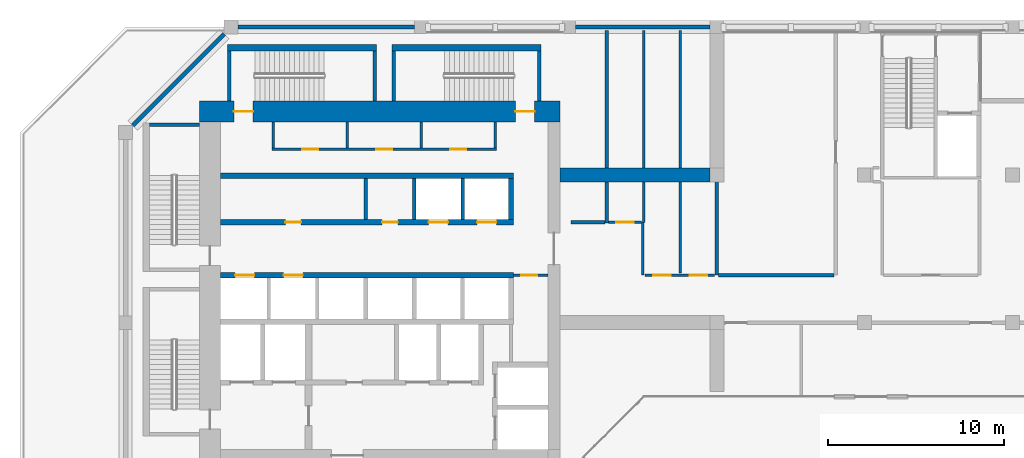
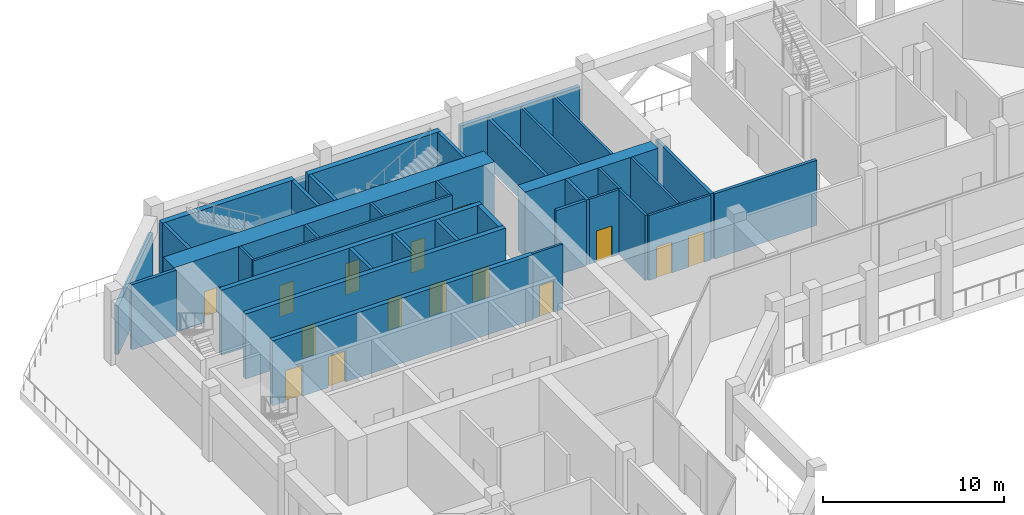
# One storey, part 8 of 16: 37 walls, 15 doors, 15 openings.
"""IFC4 building model written with IfcOpenShell, lengths in metres."""

from ifc_helpers import new_model, si_unit, direction, frame, frame_2d, origin, place, context, subcontext, project, spatial, rectangle, extrude, material, layer, layer_set, type_object, element, fill, save


model = new_model("IFC4")

# Units and contexts
model_context = context("Model", 3, precision=1e-05, world=origin(), true_north=direction((0.0, 1.0)))
body_context = subcontext(model_context, "Body", "Model", "MODEL_VIEW")
ifc_project = project(units=[si_unit("LENGTHUNIT", "METRE"), si_unit("AREAUNIT", "SQUARE_METRE"), si_unit("VOLUMEUNIT", "CUBIC_METRE"), si_unit("PLANEANGLEUNIT", "RADIAN"), si_unit("MASSUNIT", "GRAM", prefix="KILO")], contexts=[model_context])

# Site, building, storey
site_placement = place(None, origin())
site = spatial("IfcSite", under=ifc_project, at=site_placement, CompositionType="ELEMENT")
building_placement = place(site_placement, origin())
building = spatial("IfcBuilding", under=site, at=building_placement, Name="Kawkab Arch Medical Tower", CompositionType="ELEMENT")
storey_placement = place(building_placement, frame((0.0, 0.0, 272.60009765625)))
storey = spatial("IfcBuildingStorey", under=building, at=storey_placement, Name="L63", CompositionType="ELEMENT", Elevation=272.60009765625)

# Wall
ifc_material_1 = material(Name="Concrete C40/50", Category="concrete")
ifc_layer_1 = layer(ifc_material_1, 0.800048828125)
ifc_layer_set_1 = layer_set([ifc_layer_1], Name="Concrete C40/50")
wall_type_1 = type_object("IfcWallType", Name="Belt wall 800 C40/50", PredefinedType="SHEAR", material=ifc_layer_set_1)
wall_1_placement = place(storey_placement, frame((24.699951171875, -8.39990234375, 0.0), z_axis=(0.0, 0.0, 1.0), x_axis=(1.0, 0.0, 0.0)))
element("IfcWall", 1, at=wall_1_placement, inside=storey, type_object=wall_type_1, Name="Belt wall BW-L63-1", PredefinedType="SHEAR", context=body_context, shape_type="SweptSolid", body=[
    extrude(rectangle(XDim=8.5, YDim=0.800048828125, at=frame_2d((4.25, 0.0))), origin(), (0.0, 0.0, 1.0), 4.39990234375),
])

# Wall, openings, doors
ifc_material_2 = material(Name="Concrete C50/60", Category="concrete")
ifc_layer_2 = layer(ifc_material_2, 1.199951171875)
ifc_layer_set_2 = layer_set([ifc_layer_2], Name="Concrete C50/60")
wall_type_2 = type_object("IfcWallType", Name="Core ring wall 1200 C50/60", PredefinedType="SHEAR", material=ifc_layer_set_2)
wall_2_placement = place(storey_placement, frame((4.199951171875, -4.800048828125, 0.0), z_axis=(0.0, 0.0, 1.0), x_axis=(1.0, 0.0, 0.0)))
wall_2 = element("IfcWall", 2, at=wall_2_placement, inside=storey, type_object=wall_type_2, Name="L63 core wall", PredefinedType="SHEAR", context=body_context, shape_type="SweptSolid", body=[
    extrude(rectangle(XDim=20.5, YDim=1.199951171875, at=frame_2d((10.25, 0.0))), origin(), (0.0, 0.0, 1.0), 4.39990234375),
])
opening_1_placement = place(wall_2_placement, frame((1.949951171875, 0.0, 0.0)))
opening_1 = element("IfcOpeningElement", 3, at=opening_1_placement, cuts=wall_2, Name="Opening SD", PredefinedType="OPENING", context=body_context, shape_type="SweptSolid", body=[
    extrude(rectangle(XDim=1.10009765625, YDim=2.10009765625, at=frame_2d((0.550048828125, 1.050048828125))), frame((0.0, 0.60986328125, 0.0), z_axis=(0.0, -1.0, 0.0), x_axis=(1.0, 0.0, 0.0)), (0.0, 0.0, 1.0), 1.219970703125),
])
opening_2_placement = place(wall_2_placement, frame((17.949951171875, 0.0, 0.0)))
opening_2 = element("IfcOpeningElement", 4, at=opening_2_placement, cuts=wall_2, Name="Opening SD", PredefinedType="OPENING", context=body_context, shape_type="SweptSolid", body=[
    extrude(rectangle(XDim=1.10009765625, YDim=2.10009765625, at=frame_2d((0.550048828125, 1.050048828125))), frame((0.0, 0.60986328125, 0.0), z_axis=(0.0, -1.0, 0.0), x_axis=(1.0, 0.0, 0.0)), (0.0, 0.0, 1.0), 1.219970703125),
])
ifc_material_3 = material(Name="Hollow metal fire door leaf")
door_type_1 = type_object("IfcDoorType", Name="Exit stair door 1100", OperationType="SINGLE_SWING_LEFT", PredefinedType="DOOR", material=ifc_material_3)
door_1_placement = place(opening_1_placement, origin())
door_1 = element("IfcDoor", 5, at=door_1_placement, inside=storey, type_object=door_type_1, Name="L63 Exit stair ST3 door", OperationType="SINGLE_SWING_LEFT", OverallHeight=2.10009765625, OverallWidth=1.10009765625, PredefinedType="DOOR", context=body_context, shape_type="SweptSolid", body=[
    extrude(rectangle(XDim=1.10009765625, YDim=2.10009765625, at=frame_2d((0.550048828125, 1.050048828125))), frame((0.0, 0.02490234375, 0.0), z_axis=(0.0, -1.0, 0.0), x_axis=(1.0, 0.0, 0.0)), (0.0, 0.0, 1.0), 0.050048828125),
])
fill(opening_1, door_1)
door_2_placement = place(opening_2_placement, origin())
door_2 = element("IfcDoor", 6, at=door_2_placement, inside=storey, type_object=door_type_1, Name="L63 Exit stair ST4 door", OperationType="SINGLE_SWING_LEFT", OverallHeight=2.10009765625, OverallWidth=1.10009765625, PredefinedType="DOOR", context=body_context, shape_type="SweptSolid", body=[
    extrude(rectangle(XDim=1.10009765625, YDim=2.10009765625, at=frame_2d((0.550048828125, 1.050048828125))), frame((0.0, 0.02490234375, 0.0), z_axis=(0.0, -1.0, 0.0), x_axis=(1.0, 0.0, 0.0)), (0.0, 0.0, 1.0), 0.050048828125),
])
fill(opening_2, door_2)

# Wall, opening, door
ifc_material_4 = material(Name="Gypsum board on steel studs", Category="steel")
ifc_layer_3 = layer(ifc_material_4, 0.14990234375)
ifc_layer_set_3 = layer_set([ifc_layer_3], Name="Gypsum board on steel studs")
wall_type_3 = type_object("IfcWallType", Name="Core room partition 150", PredefinedType="PARTITIONING", material=ifc_layer_set_3)
wall_3_placement = place(storey_placement, frame((22.050048828125, -14.10009765625, 0.0), z_axis=(0.0, 0.0, 1.0), x_axis=(1.0, 0.0, 0.0)))
wall_3 = element("IfcWall", 7, at=wall_3_placement, inside=storey, type_object=wall_type_3, Name="L63 core room partition", PredefinedType="PARTITIONING", context=body_context, shape_type="SweptSolid", body=[
    extrude(rectangle(XDim=1.949951171875, YDim=0.14990234375, at=frame_2d((0.97509765625, 0.0))), origin(), (0.0, 0.0, 1.0), 4.39990234375),
])
opening_3_placement = place(wall_3_placement, frame((0.449951171875, 0.0, 0.0)))
opening_3 = element("IfcOpeningElement", 8, at=opening_3_placement, cuts=wall_3, Name="Opening RD", PredefinedType="OPENING", context=body_context, shape_type="SweptSolid", body=[
    extrude(rectangle(XDim=0.89990234375, YDim=2.10009765625, at=frame_2d((0.449951171875, 1.050048828125))), frame((0.0, 0.0849609375, 0.0), z_axis=(0.0, -1.0, 0.0), x_axis=(1.0, 0.0, 0.0)), (0.0, 0.0, 1.0), 0.169921875),
])
ifc_material_5 = material(Name="Hollow metal fire door leaf")
door_type_2 = type_object("IfcDoorType", Name="Core room door 900", OperationType="SINGLE_SWING_LEFT", PredefinedType="DOOR", material=ifc_material_5)
door_3_placement = place(opening_3_placement, origin())
door_3 = element("IfcDoor", 9, at=door_3_placement, inside=storey, type_object=door_type_2, Name="L63 Clean utility room door", OperationType="SINGLE_SWING_LEFT", OverallHeight=2.10009765625, OverallWidth=0.89990234375, PredefinedType="DOOR", context=body_context, shape_type="SweptSolid", body=[
    extrude(rectangle(XDim=0.89990234375, YDim=2.10009765625, at=frame_2d((0.449951171875, 1.050048828125))), frame((0.0, 0.02490234375, 0.0), z_axis=(0.0, -1.0, 0.0), x_axis=(1.0, 0.0, 0.0)), (0.0, 0.0, 1.0), 0.050048828125),
])
fill(opening_3, door_3)

# Wall, openings, doors
wall_4_placement = place(storey_placement, frame((8.324951171875, -6.949951171875, 0.0), z_axis=(0.0, 0.0, 1.0), x_axis=(1.0, 0.0, 0.0)))
wall_4 = element("IfcWall", 10, at=wall_4_placement, inside=storey, type_object=wall_type_3, Name="L63 core room partition", PredefinedType="PARTITIONING", context=body_context, shape_type="SweptSolid", body=[
    extrude(rectangle(XDim=12.75, YDim=0.14990234375, at=frame_2d((6.375, 0.0))), origin(), (0.0, 0.0, 1.0), 4.39990234375),
])
opening_4_placement = place(wall_4_placement, frame((1.72509765625, 0.0, 0.0)))
opening_4 = element("IfcOpeningElement", 11, at=opening_4_placement, cuts=wall_4, Name="Opening RD", PredefinedType="OPENING", context=body_context, shape_type="SweptSolid", body=[
    extrude(rectangle(XDim=0.89990234375, YDim=2.10009765625, at=frame_2d((0.449951171875, 1.050048828125))), frame((0.0, 0.0849609375, 0.0), z_axis=(0.0, -1.0, 0.0), x_axis=(1.0, 0.0, 0.0)), (0.0, 0.0, 1.0), 0.169921875),
])
opening_5_placement = place(wall_4_placement, frame((5.925048828125, 0.0, 0.0)))
opening_5 = element("IfcOpeningElement", 12, at=opening_5_placement, cuts=wall_4, Name="Opening RD", PredefinedType="OPENING", context=body_context, shape_type="SweptSolid", body=[
    extrude(rectangle(XDim=0.89990234375, YDim=2.10009765625, at=frame_2d((0.449951171875, 1.050048828125))), frame((0.0, 0.0849609375, 0.0), z_axis=(0.0, -1.0, 0.0), x_axis=(1.0, 0.0, 0.0)), (0.0, 0.0, 1.0), 0.169921875),
])
opening_6_placement = place(wall_4_placement, frame((10.125, 0.0, 0.0)))
opening_6 = element("IfcOpeningElement", 13, at=opening_6_placement, cuts=wall_4, Name="Opening RD", PredefinedType="OPENING", context=body_context, shape_type="SweptSolid", body=[
    extrude(rectangle(XDim=0.89990234375, YDim=2.10009765625, at=frame_2d((0.449951171875, 1.050048828125))), frame((0.0, 0.0849609375, 0.0), z_axis=(0.0, -1.0, 0.0), x_axis=(1.0, 0.0, 0.0)), (0.0, 0.0, 1.0), 0.169921875),
])
door_4_placement = place(opening_4_placement, origin())
door_4 = element("IfcDoor", 14, at=door_4_placement, inside=storey, type_object=door_type_2, Name="L63 Electrical riser room door", OperationType="SINGLE_SWING_LEFT", OverallHeight=2.10009765625, OverallWidth=0.89990234375, PredefinedType="DOOR", context=body_context, shape_type="SweptSolid", body=[
    extrude(rectangle(XDim=0.89990234375, YDim=2.10009765625, at=frame_2d((0.449951171875, 1.050048828125))), frame((0.0, 0.02490234375, 0.0), z_axis=(0.0, -1.0, 0.0), x_axis=(1.0, 0.0, 0.0)), (0.0, 0.0, 1.0), 0.050048828125),
])
fill(opening_4, door_4)
door_5_placement = place(opening_5_placement, origin())
door_5 = element("IfcDoor", 15, at=door_5_placement, inside=storey, type_object=door_type_2, Name="L63 Equipment store door", OperationType="SINGLE_SWING_LEFT", OverallHeight=2.10009765625, OverallWidth=0.89990234375, PredefinedType="DOOR", context=body_context, shape_type="SweptSolid", body=[
    extrude(rectangle(XDim=0.89990234375, YDim=2.10009765625, at=frame_2d((0.449951171875, 1.050048828125))), frame((0.0, 0.02490234375, 0.0), z_axis=(0.0, -1.0, 0.0), x_axis=(1.0, 0.0, 0.0)), (0.0, 0.0, 1.0), 0.050048828125),
])
fill(opening_5, door_5)
door_6_placement = place(opening_6_placement, origin())
door_6 = element("IfcDoor", 16, at=door_6_placement, inside=storey, type_object=door_type_2, Name="L63 Sprinkler valve room door", OperationType="SINGLE_SWING_LEFT", OverallHeight=2.10009765625, OverallWidth=0.89990234375, PredefinedType="DOOR", context=body_context, shape_type="SweptSolid", body=[
    extrude(rectangle(XDim=0.89990234375, YDim=2.10009765625, at=frame_2d((0.449951171875, 1.050048828125))), frame((0.0, 0.02490234375, 0.0), z_axis=(0.0, -1.0, 0.0), x_axis=(1.0, 0.0, 0.0)), (0.0, 0.0, 1.0), 0.050048828125),
])
fill(opening_6, door_6)

# Walls
for number, where, z_axis, x_axis, name in (
    (17, (8.39990234375, -6.875, 0.0), (0.0, 0.0, 1.0), (0.0, 1.0, 0.0), "L63 core room partition"),
    (18, (12.60009765625, -6.875, 0.0), (0.0, 0.0, 1.0), (0.0, 1.0, 0.0), "L63 core room partition"),
    (19, (16.800048828125, -6.875, 0.0), (0.0, 0.0, 1.0), (0.0, 1.0, 0.0), "L63 core room partition"),
    (20, (21.0, -6.875, 0.0), (0.0, 0.0, 1.0), (0.0, 1.0, 0.0), "L63 core room partition"),
):
    element("IfcWall", number, at=place(storey_placement, frame(where, z_axis=z_axis, x_axis=x_axis)), inside=storey, type_object=wall_type_3, Name=name, PredefinedType="PARTITIONING", context=body_context, shape_type="SweptSolid", body=[
        extrude(rectangle(XDim=1.47509765625, YDim=0.14990234375, at=frame_2d((0.737548828125, 0.0))), origin(), (0.0, 0.0, 1.0), 4.39990234375),
    ])
ifc_material_6 = material(Name="Concrete C60/75", Category="concrete")
ifc_layer_4 = layer(ifc_material_6, 0.300048828125)
ifc_layer_set_4 = layer_set([ifc_layer_4], Name="Concrete C60/75")
wall_type_4 = type_object("IfcWallType", Name="Core shear wall 300 C60/75", PredefinedType="SHEAR", material=ifc_layer_set_4)
wall_5_placement = place(storey_placement, frame((5.39990234375, -8.449951171875, 0.0), z_axis=(0.0, 0.0, 1.0), x_axis=(1.0, 0.0, 0.0)))
element("IfcWall", 21, at=wall_5_placement, inside=storey, type_object=wall_type_4, Name="L63 core shear wall", PredefinedType="SHEAR", context=body_context, shape_type="SweptSolid", body=[
    extrude(rectangle(XDim=16.650146484375, YDim=0.300048828125, at=frame_2d((8.3251953125, 0.0))), origin(), (0.0, 0.0, 1.0), 4.39990234375),
])

# Wall, openings, doors
wall_6_placement = place(storey_placement, frame((5.39990234375, -11.10009765625, 0.0), z_axis=(0.0, 0.0, 1.0), x_axis=(1.0, 0.0, 0.0)))
wall_6 = element("IfcWall", 22, at=wall_6_placement, inside=storey, type_object=wall_type_4, Name="L63 core shear wall", PredefinedType="SHEAR", context=body_context, shape_type="SweptSolid", body=[
    extrude(rectangle(XDim=16.650146484375, YDim=0.300048828125, at=frame_2d((8.3251953125, 0.0))), origin(), (0.0, 0.0, 1.0), 4.39990234375),
])
opening_7_placement = place(wall_6_placement, frame((11.824951171875, 0.0, 0.0)))
opening_7 = element("IfcOpeningElement", 23, at=opening_7_placement, cuts=wall_6, Name="Opening LD1", PredefinedType="OPENING", context=body_context, shape_type="SweptSolid", body=[
    extrude(rectangle(XDim=1.10009765625, YDim=2.10009765625, at=frame_2d((0.550048828125, 1.050048828125))), frame((0.0, 0.159912109375, 0.0), z_axis=(0.0, -1.0, 0.0), x_axis=(1.0, 0.0, 0.0)), (0.0, 0.0, 1.0), 0.320068359375),
])
opening_8_placement = place(wall_6_placement, frame((14.574951171875, 0.0, 0.0)))
opening_8 = element("IfcOpeningElement", 24, at=opening_8_placement, cuts=wall_6, Name="Opening LD1", PredefinedType="OPENING", context=body_context, shape_type="SweptSolid", body=[
    extrude(rectangle(XDim=1.10009765625, YDim=2.10009765625, at=frame_2d((0.550048828125, 1.050048828125))), frame((0.0, 0.159912109375, 0.0), z_axis=(0.0, -1.0, 0.0), x_axis=(1.0, 0.0, 0.0)), (0.0, 0.0, 1.0), 0.320068359375),
])
opening_9_placement = place(wall_6_placement, frame((3.675048828125, 0.0, 0.0)))
opening_9 = element("IfcOpeningElement", 25, at=opening_9_placement, cuts=wall_6, Name="Opening RD", PredefinedType="OPENING", context=body_context, shape_type="SweptSolid", body=[
    extrude(rectangle(XDim=0.89990234375, YDim=2.10009765625, at=frame_2d((0.449951171875, 1.050048828125))), frame((0.0, 0.159912109375, 0.0), z_axis=(0.0, -1.0, 0.0), x_axis=(1.0, 0.0, 0.0)), (0.0, 0.0, 1.0), 0.320068359375),
])
opening_10_placement = place(wall_6_placement, frame((9.175048828125, 0.0, 0.0)))
opening_10 = element("IfcOpeningElement", 26, at=opening_10_placement, cuts=wall_6, Name="Opening RD", PredefinedType="OPENING", context=body_context, shape_type="SweptSolid", body=[
    extrude(rectangle(XDim=0.89990234375, YDim=2.10009765625, at=frame_2d((0.449951171875, 1.050048828125))), frame((0.0, 0.159912109375, 0.0), z_axis=(0.0, -1.0, 0.0), x_axis=(1.0, 0.0, 0.0)), (0.0, 0.0, 1.0), 0.320068359375),
])
door_7_placement = place(opening_9_placement, origin())
door_7 = element("IfcDoor", 27, at=door_7_placement, inside=storey, type_object=door_type_2, Name="L63 Clean utility room door", OperationType="SINGLE_SWING_LEFT", OverallHeight=2.10009765625, OverallWidth=0.89990234375, PredefinedType="DOOR", context=body_context, shape_type="SweptSolid", body=[
    extrude(rectangle(XDim=0.89990234375, YDim=2.10009765625, at=frame_2d((0.449951171875, 1.050048828125))), frame((0.0, 0.02490234375, 0.0), z_axis=(0.0, -1.0, 0.0), x_axis=(1.0, 0.0, 0.0)), (0.0, 0.0, 1.0), 0.050048828125),
])
fill(opening_9, door_7)
door_8_placement = place(opening_10_placement, origin())
door_8 = element("IfcDoor", 28, at=door_8_placement, inside=storey, type_object=door_type_2, Name="L63 General store door", OperationType="SINGLE_SWING_LEFT", OverallHeight=2.10009765625, OverallWidth=0.89990234375, PredefinedType="DOOR", context=body_context, shape_type="SweptSolid", body=[
    extrude(rectangle(XDim=0.89990234375, YDim=2.10009765625, at=frame_2d((0.449951171875, 1.050048828125))), frame((0.0, 0.02490234375, 0.0), z_axis=(0.0, -1.0, 0.0), x_axis=(1.0, 0.0, 0.0)), (0.0, 0.0, 1.0), 0.050048828125),
])
fill(opening_10, door_8)
ifc_material_7 = material(Name="Stainless steel lift door leaf", Category="steel")
door_type_3 = type_object("IfcDoorType", Name="Lift landing door 1100", OperationType="DOUBLE_DOOR_SLIDING", PredefinedType="DOOR", material=ifc_material_7)
door_9_placement = place(opening_7_placement, origin())
door_9 = element("IfcDoor", 29, at=door_9_placement, inside=storey, type_object=door_type_3, Name="L63 Lift landing door MP1", OperationType="DOUBLE_DOOR_SLIDING", OverallHeight=2.10009765625, OverallWidth=1.10009765625, PredefinedType="DOOR", context=body_context, shape_type="SweptSolid", body=[
    extrude(rectangle(XDim=1.10009765625, YDim=2.10009765625, at=frame_2d((0.550048828125, 1.050048828125))), frame((0.0, 0.02490234375, 0.0), z_axis=(0.0, -1.0, 0.0), x_axis=(1.0, 0.0, 0.0)), (0.0, 0.0, 1.0), 0.050048828125),
])
fill(opening_7, door_9)
door_10_placement = place(opening_8_placement, origin())
door_10 = element("IfcDoor", 30, at=door_10_placement, inside=storey, type_object=door_type_3, Name="L63 Lift landing door MP2", OperationType="DOUBLE_DOOR_SLIDING", OverallHeight=2.10009765625, OverallWidth=1.10009765625, PredefinedType="DOOR", context=body_context, shape_type="SweptSolid", body=[
    extrude(rectangle(XDim=1.10009765625, YDim=2.10009765625, at=frame_2d((0.550048828125, 1.050048828125))), frame((0.0, 0.02490234375, 0.0), z_axis=(0.0, -1.0, 0.0), x_axis=(1.0, 0.0, 0.0)), (0.0, 0.0, 1.0), 0.050048828125),
])
fill(opening_8, door_10)

wall_7_placement = place(storey_placement, frame((5.39990234375, -14.10009765625, 0.0), z_axis=(0.0, 0.0, 1.0), x_axis=(1.0, 0.0, 0.0)))
wall_7 = element("IfcWall", 31, at=wall_7_placement, inside=storey, type_object=wall_type_4, Name="L63 core shear wall", PredefinedType="SHEAR", context=body_context, shape_type="SweptSolid", body=[
    extrude(rectangle(XDim=16.650146484375, YDim=0.300048828125, at=frame_2d((8.3251953125, 0.0))), origin(), (0.0, 0.0, 1.0), 4.39990234375),
])
opening_11_placement = place(wall_7_placement, frame((0.824951171875, 0.0, 0.0)))
opening_11 = element("IfcOpeningElement", 32, at=opening_11_placement, cuts=wall_7, Name="Opening LD1", PredefinedType="OPENING", context=body_context, shape_type="SweptSolid", body=[
    extrude(rectangle(XDim=1.10009765625, YDim=2.10009765625, at=frame_2d((0.550048828125, 1.050048828125))), frame((0.0, 0.159912109375, 0.0), z_axis=(0.0, -1.0, 0.0), x_axis=(1.0, 0.0, 0.0)), (0.0, 0.0, 1.0), 0.320068359375),
])
opening_12_placement = place(wall_7_placement, frame((3.574951171875, 0.0, 0.0)))
opening_12 = element("IfcOpeningElement", 33, at=opening_12_placement, cuts=wall_7, Name="Opening LD1", PredefinedType="OPENING", context=body_context, shape_type="SweptSolid", body=[
    extrude(rectangle(XDim=1.10009765625, YDim=2.10009765625, at=frame_2d((0.550048828125, 1.050048828125))), frame((0.0, 0.159912109375, 0.0), z_axis=(0.0, -1.0, 0.0), x_axis=(1.0, 0.0, 0.0)), (0.0, 0.0, 1.0), 0.320068359375),
])
door_11_placement = place(opening_11_placement, origin())
door_11 = element("IfcDoor", 34, at=door_11_placement, inside=storey, type_object=door_type_3, Name="L63 Lift landing door MP3", OperationType="DOUBLE_DOOR_SLIDING", OverallHeight=2.10009765625, OverallWidth=1.10009765625, PredefinedType="DOOR", context=body_context, shape_type="SweptSolid", body=[
    extrude(rectangle(XDim=1.10009765625, YDim=2.10009765625, at=frame_2d((0.550048828125, 1.050048828125))), frame((0.0, 0.02490234375, 0.0), z_axis=(0.0, -1.0, 0.0), x_axis=(1.0, 0.0, 0.0)), (0.0, 0.0, 1.0), 0.050048828125),
])
fill(opening_11, door_11)
door_12_placement = place(opening_12_placement, origin())
door_12 = element("IfcDoor", 35, at=door_12_placement, inside=storey, type_object=door_type_3, Name="L63 Lift landing door MP4", OperationType="DOUBLE_DOOR_SLIDING", OverallHeight=2.10009765625, OverallWidth=1.10009765625, PredefinedType="DOOR", context=body_context, shape_type="SweptSolid", body=[
    extrude(rectangle(XDim=1.10009765625, YDim=2.10009765625, at=frame_2d((0.550048828125, 1.050048828125))), frame((0.0, 0.02490234375, 0.0), z_axis=(0.0, -1.0, 0.0), x_axis=(1.0, 0.0, 0.0)), (0.0, 0.0, 1.0), 0.050048828125),
])
fill(opening_12, door_12)

# Walls
wall_8_placement = place(storey_placement, frame((21.89990234375, -10.949951171875, 0.0), z_axis=(0.0, 0.0, 1.0), x_axis=(0.0, 1.0, 0.0)))
element("IfcWall", 36, at=wall_8_placement, inside=storey, type_object=wall_type_4, Name="L63 core shear wall", PredefinedType="SHEAR", context=body_context, shape_type="SweptSolid", body=[
    extrude(rectangle(XDim=2.349853515625, YDim=0.300048828125, at=frame_2d((1.1748046875, 0.0))), origin(), (0.0, 0.0, 1.0), 4.39990234375),
])
ifc_material_8 = material(Name="Bronze clad insulated wall panel")
ifc_layer_5 = layer(ifc_material_8, 0.25)
ifc_layer_set_5 = layer_set([ifc_layer_5], Name="Bronze clad insulated wall panel")
wall_type_5 = type_object("IfcWallType", Name="External wall bay 250", PredefinedType="SOLIDWALL", material=ifc_layer_set_5)
wall_9_placement = place(storey_placement, frame((5.60009765625, -0.39990234375, 0.0), z_axis=(0.0, 0.0, 1.0), x_axis=(-0.707106781187, -0.707106781187, 0.0)))
element("IfcWall", 37, at=wall_9_placement, inside=storey, type_object=wall_type_5, Name="Plant wall L63.R01.1", PredefinedType="SOLIDWALL", context=body_context, shape_type="SweptSolid", body=[
    extrude(rectangle(XDim=7.354248046875, YDim=0.25, at=frame_2d((3.67724609375, 0.0))), origin(), (0.0, 0.0, 1.0), 3.2998046875),
])
wall_10_placement = place(storey_placement, frame((33.22509765625, 0.0, 0.0), z_axis=(0.0, 0.0, 1.0), x_axis=(-1.0, 0.0, 0.0)))
element("IfcWall", 38, at=wall_10_placement, inside=storey, type_object=wall_type_5, Name="Plant wall L63.R20.3", PredefinedType="SOLIDWALL", context=body_context, shape_type="SweptSolid", body=[
    extrude(rectangle(XDim=7.650146484375, YDim=0.25, at=frame_2d((3.8251953125, 0.0))), origin(), (0.0, 0.0, 1.0), 3.2998046875),
])
wall_11_placement = place(storey_placement, frame((16.425048828125, 0.0, 0.0), z_axis=(0.0, 0.0, 1.0), x_axis=(-1.0, 0.0, 0.0)))
element("IfcWall", 39, at=wall_11_placement, inside=storey, type_object=wall_type_5, Name="Plant wall L63.R20.5", PredefinedType="SOLIDWALL", context=body_context, shape_type="SweptSolid", body=[
    extrude(rectangle(XDim=10.025146484375, YDim=0.25, at=frame_2d((5.0126953125, 0.0))), origin(), (0.0, 0.0, 1.0), 3.2998046875),
])
ifc_material_9 = material(Name="Dense concrete blockwork", Category="masonry")
ifc_layer_6 = layer(ifc_material_9, 0.199951171875)
ifc_layer_set_6 = layer_set([ifc_layer_6], Name="Dense concrete blockwork")
wall_type_6 = type_object("IfcWallType", Name="Lift shaft partition 200", PredefinedType="PARTITIONING", material=ifc_layer_set_6)
for number, where, z_axis, x_axis, name in (
    (40, (13.64990234375, -10.949951171875, 0.0), (0.0, 0.0, 1.0), (0.0, 1.0, 0.0), "L63 lift shaft partition"),
    (41, (16.39990234375, -10.949951171875, 0.0), (0.0, 0.0, 1.0), (0.0, 1.0, 0.0), "L63 lift shaft partition"),
    (42, (19.14990234375, -10.949951171875, 0.0), (0.0, 0.0, 1.0), (0.0, 1.0, 0.0), "L63 lift shaft partition"),
):
    element("IfcWall", number, at=place(storey_placement, frame(where, z_axis=z_axis, x_axis=x_axis)), inside=storey, type_object=wall_type_6, Name=name, PredefinedType="PARTITIONING", context=body_context, shape_type="SweptSolid", body=[
        extrude(rectangle(XDim=2.349853515625, YDim=0.199951171875, at=frame_2d((1.1748046875, 0.0))), origin(), (0.0, 0.0, 1.0), 4.39990234375),
    ])

# Wall, openings, doors
ifc_material_10 = material(Name="Gypsum board partition on steel studs, mineral wool", Category="steel")
ifc_layer_7 = layer(ifc_material_10, 0.14990234375)
ifc_layer_set_7 = layer_set([ifc_layer_7], Name="Gypsum board partition on steel studs, mineral wool")
wall_type_7 = type_object("IfcWallType", Name="Partition 150", PredefinedType="PARTITIONING", material=ifc_layer_set_7)
wall_12_placement = place(storey_placement, frame((29.514892578125, -14.10009765625, 0.0), z_axis=(0.0, 0.0, 1.0), x_axis=(1.0, 0.0, 0.0)))
wall_12 = element("IfcWall", 43, at=wall_12_placement, inside=storey, type_object=wall_type_7, Name="Partition 150 w002", PredefinedType="PARTITIONING", context=body_context, shape_type="SweptSolid", body=[
    extrude(rectangle(XDim=3.965087890625, YDim=0.14990234375, at=frame_2d((1.982421875, 0.0))), origin(), (0.0, 0.0, 1.0), 4.39990234375),
])
opening_13_placement = place(wall_12_placement, frame((0.465087890625, 0.0, 0.0)))
opening_13 = element("IfcOpeningElement", 44, at=opening_13_placement, cuts=wall_12, Name="Opening PL3-002", PredefinedType="OPENING", context=body_context, shape_type="SweptSolid", body=[
    extrude(rectangle(XDim=1.0, YDim=2.10009765625, at=frame_2d((0.5, 1.050048828125))), frame((0.0, 0.0849609375, 0.0), z_axis=(0.0, -1.0, 0.0), x_axis=(1.0, 0.0, 0.0)), (0.0, 0.0, 1.0), 0.169921875),
])
opening_14_placement = place(wall_12_placement, frame((2.534912109375, 0.0, 0.0)))
opening_14 = element("IfcOpeningElement", 45, at=opening_14_placement, cuts=wall_12, Name="Opening PL3-004", PredefinedType="OPENING", context=body_context, shape_type="SweptSolid", body=[
    extrude(rectangle(XDim=1.0, YDim=2.10009765625, at=frame_2d((0.5, 1.050048828125))), frame((0.0, 0.0849609375, 0.0), z_axis=(0.0, -1.0, 0.0), x_axis=(1.0, 0.0, 0.0)), (0.0, 0.0, 1.0), 0.169921875),
])
ifc_material_11 = material(Name="Hollow metal door leaf")
door_type_4 = type_object("IfcDoorType", Name="Single door 1000x2100 FD30S", OperationType="NOTDEFINED", PredefinedType="DOOR", material=ifc_material_11)
door_13_placement = place(opening_13_placement, origin())
door_13 = element("IfcDoor", 46, at=door_13_placement, inside=storey, type_object=door_type_4, Name="Door PL3-002", OperationType="SINGLE_SWING_LEFT", OverallHeight=2.10009765625, OverallWidth=1.0, PredefinedType="DOOR", context=body_context, shape_type="SweptSolid", body=[
    extrude(rectangle(XDim=1.0, YDim=2.10009765625, at=frame_2d((0.5, 1.050048828125))), frame((0.0, 0.02490234375, 0.0), z_axis=(0.0, -1.0, 0.0), x_axis=(1.0, 0.0, 0.0)), (0.0, 0.0, 1.0), 0.050048828125),
])
fill(opening_13, door_13)
door_14_placement = place(opening_14_placement, origin())
door_14 = element("IfcDoor", 47, at=door_14_placement, inside=storey, type_object=door_type_4, Name="Door PL3-004", OperationType="SINGLE_SWING_RIGHT", OverallHeight=2.10009765625, OverallWidth=1.0, PredefinedType="DOOR", context=body_context, shape_type="SweptSolid", body=[
    extrude(rectangle(XDim=1.0, YDim=2.10009765625, at=frame_2d((0.5, 1.050048828125))), frame((0.0, 0.02490234375, 0.0), z_axis=(0.0, -1.0, 0.0), x_axis=(1.0, 0.0, 0.0)), (0.0, 0.0, 1.0), 0.050048828125),
])
fill(opening_14, door_14)

# Wall, opening, door
wall_13_placement = place(storey_placement, frame((27.449951171875, -11.10009765625, 0.0), z_axis=(0.0, 0.0, 1.0), x_axis=(1.0, 0.0, 0.0)))
wall_13 = element("IfcWall", 48, at=wall_13_placement, inside=storey, type_object=wall_type_7, Name="Partition 150 w004", PredefinedType="PARTITIONING", context=body_context, shape_type="SweptSolid", body=[
    extrude(rectangle(XDim=1.875, YDim=0.14990234375, at=frame_2d((0.9375, 0.0))), origin(), (0.0, 0.0, 1.0), 4.39990234375),
])
opening_15_placement = place(wall_13_placement, frame((0.425048828125, 0.0, 0.0)))
opening_15 = element("IfcOpeningElement", 49, at=opening_15_placement, cuts=wall_13, Name="Opening PL3-003", PredefinedType="OPENING", context=body_context, shape_type="SweptSolid", body=[
    extrude(rectangle(XDim=1.0, YDim=2.10009765625, at=frame_2d((0.5, 1.050048828125))), frame((0.0, 0.0849609375, 0.0), z_axis=(0.0, -1.0, 0.0), x_axis=(1.0, 0.0, 0.0)), (0.0, 0.0, 1.0), 0.169921875),
])
door_15_placement = place(opening_15_placement, origin())
door_15 = element("IfcDoor", 50, at=door_15_placement, inside=storey, type_object=door_type_4, Name="Door PL3-003", OperationType="SINGLE_SWING_RIGHT", OverallHeight=2.10009765625, OverallWidth=1.0, PredefinedType="DOOR", context=body_context, shape_type="SweptSolid", body=[
    extrude(rectangle(XDim=1.0, YDim=2.10009765625, at=frame_2d((0.5, 1.050048828125))), frame((0.0, 0.02490234375, 0.0), z_axis=(0.0, -1.0, 0.0), x_axis=(1.0, 0.0, 0.0)), (0.0, 0.0, 1.0), 0.050048828125),
])
fill(opening_15, door_15)

# Walls
wall_14_placement = place(storey_placement, frame((29.39990234375, -14.080078125, 0.0), z_axis=(0.0, 0.0, 1.0), x_axis=(0.0, 1.0, 0.0)))
element("IfcWall", 51, at=wall_14_placement, inside=storey, type_object=wall_type_7, Name="Partition 150 w007", PredefinedType="PARTITIONING", context=body_context, shape_type="SweptSolid", body=[
    extrude(rectangle(XDim=2.97998046875, YDim=0.14990234375, at=frame_2d((1.489990234375, 0.0))), origin(), (0.0, 0.0, 1.0), 4.39990234375),
])
wall_15_placement = place(storey_placement, frame((29.43994140625, -11.10009765625, 0.0), z_axis=(0.0, 0.0, 1.0), x_axis=(0.0, 1.0, 0.0)))
element("IfcWall", 52, at=wall_15_placement, inside=storey, type_object=wall_type_7, Name="Partition 150 w008", PredefinedType="PARTITIONING", context=body_context, shape_type="SweptSolid", body=[
    extrude(rectangle(XDim=2.300048828125, YDim=0.14990234375, at=frame_2d((1.14990234375, 0.0))), origin(), (0.0, 0.0, 1.0), 4.39990234375),
])
wall_16_placement = place(storey_placement, frame((29.43994140625, -8.0009765625, 0.0), z_axis=(0.0, 0.0, 1.0), x_axis=(0.0, 1.0, 0.0)))
element("IfcWall", 53, at=wall_16_placement, inside=storey, type_object=wall_type_7, Name="Partition 150 w009", PredefinedType="PARTITIONING", context=body_context, shape_type="SweptSolid", body=[
    extrude(rectangle(XDim=7.801025390625, YDim=0.14990234375, at=frame_2d((3.900390625, 0.0))), origin(), (0.0, 0.0, 1.0), 3.2998046875),
])
wall_17_placement = place(storey_placement, frame((31.52001953125, -13.965087890625, 0.0), z_axis=(0.0, 0.0, 1.0), x_axis=(0.0, 1.0, 0.0)))
element("IfcWall", 54, at=wall_17_placement, inside=storey, type_object=wall_type_7, Name="Partition 150 w010", PredefinedType="PARTITIONING", context=body_context, shape_type="SweptSolid", body=[
    extrude(rectangle(XDim=5.1650390625, YDim=0.14990234375, at=frame_2d((2.58251953125, 0.0))), origin(), (0.0, 0.0, 1.0), 4.39990234375),
])
wall_18_placement = place(storey_placement, frame((31.52001953125, -8.0009765625, 0.0), z_axis=(0.0, 0.0, 1.0), x_axis=(0.0, 1.0, 0.0)))
element("IfcWall", 55, at=wall_18_placement, inside=storey, type_object=wall_type_7, Name="Partition 150 w011", PredefinedType="PARTITIONING", context=body_context, shape_type="SweptSolid", body=[
    extrude(rectangle(XDim=7.801025390625, YDim=0.14990234375, at=frame_2d((3.900390625, 0.0))), origin(), (0.0, 0.0, 1.0), 3.2998046875),
])
ifc_material_12 = material(Name="Fire-rated gypsum board partition on steel studs", Category="steel")
ifc_layer_8 = layer(ifc_material_12, 0.199951171875)
ifc_layer_set_8 = layer_set([ifc_layer_8], Name="Fire-rated gypsum board partition on steel studs")
wall_type_8 = type_object("IfcWallType", Name="Protected partition 200", PredefinedType="PARTITIONING", material=ifc_layer_set_8)
wall_19_placement = place(storey_placement, frame((33.699951171875, -14.10009765625, 0.0), z_axis=(0.0, 0.0, 1.0), x_axis=(1.0, 0.0, 0.0)))
element("IfcWall", 56, at=wall_19_placement, inside=storey, type_object=wall_type_8, Name="Protected partition 200 w021", PredefinedType="PARTITIONING", context=body_context, shape_type="SweptSolid", body=[
    extrude(rectangle(XDim=6.554931640625, YDim=0.199951171875, at=frame_2d((3.27734375, 0.0))), origin(), (0.0, 0.0, 1.0), 4.39990234375),
])
wall_20_placement = place(storey_placement, frame((25.300048828125, -11.10009765625, 0.0), z_axis=(0.0, 0.0, 1.0), x_axis=(1.0, 0.0, 0.0)))
element("IfcWall", 57, at=wall_20_placement, inside=storey, type_object=wall_type_8, Name="Protected partition 200 w023", PredefinedType="PARTITIONING", context=body_context, shape_type="SweptSolid", body=[
    extrude(rectangle(XDim=1.949951171875, YDim=0.199951171875, at=frame_2d((0.97509765625, 0.0))), origin(), (0.0, 0.0, 1.0), 4.39990234375),
])
wall_21_placement = place(storey_placement, frame((27.35009765625, -11.14990234375, 0.0), z_axis=(0.0, 0.0, 1.0), x_axis=(0.0, 1.0, 0.0)))
element("IfcWall", 58, at=wall_21_placement, inside=storey, type_object=wall_type_8, Name="Protected partition 200 w029", PredefinedType="PARTITIONING", context=body_context, shape_type="SweptSolid", body=[
    extrude(rectangle(XDim=2.349853515625, YDim=0.199951171875, at=frame_2d((1.1748046875, 0.0))), origin(), (0.0, 0.0, 1.0), 4.39990234375),
])
wall_22_placement = place(storey_placement, frame((27.35009765625, -8.0009765625, 0.0), z_axis=(0.0, 0.0, 1.0), x_axis=(0.0, 1.0, 0.0)))
element("IfcWall", 59, at=wall_22_placement, inside=storey, type_object=wall_type_8, Name="Protected partition 200 w030", PredefinedType="PARTITIONING", context=body_context, shape_type="SweptSolid", body=[
    extrude(rectangle(XDim=7.801025390625, YDim=0.199951171875, at=frame_2d((3.900390625, 0.0))), origin(), (0.0, 0.0, 1.0), 3.2998046875),
])
wall_23_placement = place(storey_placement, frame((33.60009765625, -14.080078125, 0.0), z_axis=(0.0, 0.0, 1.0), x_axis=(0.0, 1.0, 0.0)))
element("IfcWall", 60, at=wall_23_placement, inside=storey, type_object=wall_type_8, Name="Protected partition 200 w031", PredefinedType="PARTITIONING", context=body_context, shape_type="SweptSolid", body=[
    extrude(rectangle(XDim=6.080078125, YDim=0.199951171875, at=frame_2d((3.0400390625, 0.0))), origin(), (0.0, 0.0, 1.0), 4.39990234375),
])
ifc_material_13 = material(Name="Concrete C50/60", Category="concrete")
ifc_layer_9 = layer(ifc_material_13, 0.199951171875)
ifc_layer_set_9 = layer_set([ifc_layer_9], Name="Concrete C50/60")
wall_type_9 = type_object("IfcWallType", Name="Stair enclosure wall 200 C50/60", PredefinedType="SHEAR", material=ifc_layer_set_9)
for number, where, z_axis, x_axis, name in (
    (61, (1.35009765625, -5.550048828125, 0.0), (0.0, 0.0, 1.0), (1.0, 0.0, 0.0), "L63 stair enclosure wall"),
    (62, (5.89990234375, -4.199951171875, 0.0), (0.0, 0.0, 1.0), (0.0, 1.0, 0.0), "L63 stair enclosure wall"),
    (63, (14.14990234375, -4.199951171875, 0.0), (0.0, 0.0, 1.0), (0.0, 1.0, 0.0), "L63 stair enclosure wall"),
    (64, (15.25, -4.199951171875, 0.0), (0.0, 0.0, 1.0), (0.0, 1.0, 0.0), "L63 stair enclosure wall"),
    (65, (23.5, -4.199951171875, 0.0), (0.0, 0.0, 1.0), (0.0, 1.0, 0.0), "L63 stair enclosure wall"),
):
    element("IfcWall", number, at=place(storey_placement, frame(where, z_axis=z_axis, x_axis=x_axis)), inside=storey, type_object=wall_type_9, Name=name, PredefinedType="SHEAR", context=body_context, shape_type="SweptSolid", body=[
        extrude(rectangle(XDim=2.849853515625, YDim=0.199951171875, at=frame_2d((1.4248046875, 0.0))), origin(), (0.0, 0.0, 1.0), 4.39990234375),
    ])
ifc_material_14 = material(Name="Concrete C50/60", Category="concrete")
ifc_layer_10 = layer(ifc_material_14, 0.35009765625)
ifc_layer_set_10 = layer_set([ifc_layer_10], Name="Concrete C50/60")
wall_type_10 = type_object("IfcWallType", Name="Stair enclosure wall 350 C50/60", PredefinedType="SHEAR", material=ifc_layer_set_10)
wall_24_placement = place(storey_placement, frame((5.800048828125, -1.175048828125, 0.0), z_axis=(0.0, 0.0, 1.0), x_axis=(1.0, 0.0, 0.0)))
element("IfcWall", 66, at=wall_24_placement, inside=storey, type_object=wall_type_10, Name="L63 stair enclosure wall", PredefinedType="SHEAR", context=body_context, shape_type="SweptSolid", body=[
    extrude(rectangle(XDim=8.449951171875, YDim=0.35009765625, at=frame_2d((4.22509765625, 0.0))), origin(), (0.0, 0.0, 1.0), 4.39990234375),
])
wall_25_placement = place(storey_placement, frame((15.14990234375, -1.175048828125, 0.0), z_axis=(0.0, 0.0, 1.0), x_axis=(1.0, 0.0, 0.0)))
element("IfcWall", 67, at=wall_25_placement, inside=storey, type_object=wall_type_10, Name="L63 stair enclosure wall", PredefinedType="SHEAR", context=body_context, shape_type="SweptSolid", body=[
    extrude(rectangle(XDim=8.4501953125, YDim=0.35009765625, at=frame_2d((4.22509765625, 0.0))), origin(), (0.0, 0.0, 1.0), 4.39990234375),
])

save(model, "model.ifc")
